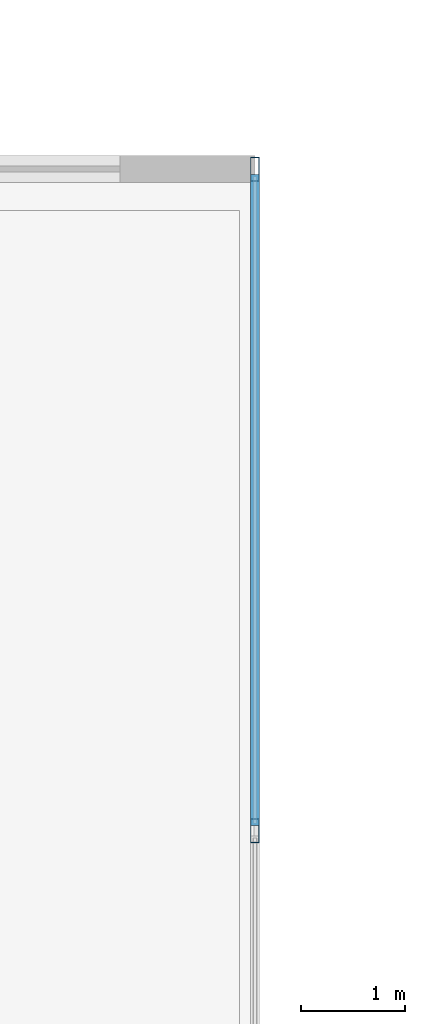
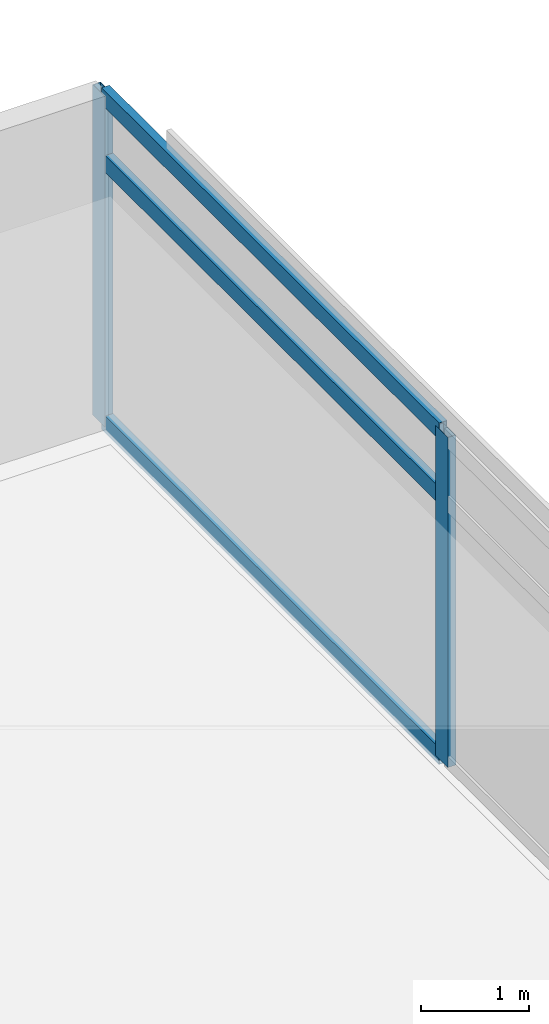
# One storey, part 11 of 21: 5 members, 1 element without a shape of its own.
"""IFC4 building model written with IfcOpenShell, lengths in metres."""

from ifc_helpers import new_model, si_unit, direction, frame, origin, origin_2d, place, context, subcontext, project, spatial, hollow_rectangle, extrude, material, material_profile, profile_set, type_object, element, aggregate, save


model = new_model("IFC4")

# Units and contexts
model_context = context("Model", 3, precision=1e-05, world=origin(), true_north=direction((0.0, 1.0)))
body_context = subcontext(model_context, "Body", "Model", "MODEL_VIEW")
ifc_project = project(units=[si_unit("LENGTHUNIT", "METRE"), si_unit("AREAUNIT", "SQUARE_METRE"), si_unit("VOLUMEUNIT", "CUBIC_METRE"), si_unit("PLANEANGLEUNIT", "RADIAN"), si_unit("MASSUNIT", "GRAM", prefix="KILO")], contexts=[model_context])

# Site, building, storey
site_placement = place(None, origin())
site = spatial("IfcSite", under=ifc_project, at=site_placement, CompositionType="ELEMENT")
building_placement = place(site_placement, origin())
building = spatial("IfcBuilding", under=site, at=building_placement, Name="Kovane Verandah Tower", CompositionType="ELEMENT")
storey_placement = place(building_placement, frame((0.0, 0.0, 247.199951171875)))
storey = spatial("IfcBuildingStorey", under=building, at=storey_placement, Name="L57", CompositionType="ELEMENT", Elevation=247.199951171875)

# Curtain wall, members
ifc_material_1 = material(Name="Champagne Anodised Aluminium Frame with Low-E Clear Laminated Glass", Category="aluminium")
curtain_wall_type = type_object("IfcCurtainWallType", Name="CW-SYS-05-HIGH", PredefinedType="NOTDEFINED", material=ifc_material_1)
curtain_wall_placement = place(storey_placement, origin())
curtain_wall = element("IfcCurtainWall", 1, at=curtain_wall_placement, inside=storey, type_object=curtain_wall_type, Name="L57 E Unitised Curtain Wall", PredefinedType="NOTDEFINED")
ifc_material_2 = material(Name="Champagne Anodised Aluminium 6063-T6", Category="aluminium")
ifc_material_profile_1 = material_profile(ifc_material_2, hollow_rectangle(XDim=0.0849609375, YDim=0.22998046875, WallThickness=0.00390625, at=origin_2d()), Name="AL85x230x4")
ifc_profile_set_1 = profile_set([ifc_material_profile_1], Name="Champagne Anodised Aluminium 6063-T6")
member_type_1 = type_object("IfcMemberType", Name="CW-MUL-85x230", PredefinedType="MULLION", material=ifc_profile_set_1)
member_1_placement = place(storey_placement, frame((66.366455078125, 40.24560546875, 0.02001953125), z_axis=(0.0, 0.0, 1.0), x_axis=(1.0, 0.0, 0.0)))
member_1 = element("IfcMember", 2, at=member_1_placement, type_object=member_type_1, Name="L57 E Unitised Curtain Wall Mullion 6", PredefinedType="MULLION", context=body_context, shape_type="SweptSolid", body=[
    extrude(hollow_rectangle(XDim=0.0849609375, YDim=0.22998046875, WallThickness=0.00390625, at=origin_2d()), origin(), (0.0, 0.0, 1.0), 3.7451171875),
])
member_2_placement = place(storey_placement, frame((66.366455078125, 46.6181640625, 0.02001953125), z_axis=(0.0, 0.0, 1.0), x_axis=(1.0, 0.0, 0.0)))
member_2 = element("IfcMember", 3, at=member_2_placement, type_object=member_type_1, Name="L57 E Unitised Curtain Wall Mullion 7", PredefinedType="MULLION", context=body_context, shape_type="SweptSolid", body=[
    extrude(hollow_rectangle(XDim=0.0849609375, YDim=0.22998046875, WallThickness=0.00390625, at=origin_2d()), origin(), (0.0, 0.0, 1.0), 3.7451171875),
])
ifc_material_profile_2 = material_profile(ifc_material_2, hollow_rectangle(XDim=0.0849609375, YDim=0.18994140625, WallThickness=0.00390625, at=origin_2d()), Name="AL85x190x4")
ifc_profile_set_2 = profile_set([ifc_material_profile_2], Name="Champagne Anodised Aluminium 6063-T6")
member_type_2 = type_object("IfcMemberType", Name="CW-TRN-85x190", PredefinedType="USERDEFINED", material=ifc_profile_set_2)
member_3_placement = place(storey_placement, frame((66.366455078125, 40.29541015625, 0.050048828125), z_axis=(0.0, 1.0, 0.0), x_axis=(-1.0, 0.0, 0.0)))
member_3 = element("IfcMember", 4, at=member_3_placement, type_object=member_type_2, Name="L57 E Unitised Curtain Wall Transom TB Bay 6", ObjectType="TRANSOM", PredefinedType="USERDEFINED", context=body_context, shape_type="SweptSolid", body=[
    extrude(hollow_rectangle(XDim=0.0849609375, YDim=0.18994140625, WallThickness=0.00390625, at=origin_2d()), origin(), (0.0, 0.0, 1.0), 6.272705078125),
])
member_4_placement = place(storey_placement, frame((66.366455078125, 40.29541015625, 3.005126953125), z_axis=(0.0, 1.0, 0.0), x_axis=(-1.0, 0.0, 0.0)))
member_4 = element("IfcMember", 5, at=member_4_placement, type_object=member_type_2, Name="L57 E Unitised Curtain Wall Transom TM Bay 6", ObjectType="TRANSOM", PredefinedType="USERDEFINED", context=body_context, shape_type="SweptSolid", body=[
    extrude(hollow_rectangle(XDim=0.0849609375, YDim=0.18994140625, WallThickness=0.00390625, at=origin_2d()), origin(), (0.0, 0.0, 1.0), 6.272705078125),
])
member_5_placement = place(storey_placement, frame((66.366455078125, 40.29541015625, 3.735107421875), z_axis=(0.0, 1.0, 0.0), x_axis=(-1.0, 0.0, 0.0)))
member_5 = element("IfcMember", 6, at=member_5_placement, type_object=member_type_2, Name="L57 E Unitised Curtain Wall Transom TT Bay 6", ObjectType="TRANSOM", PredefinedType="USERDEFINED", context=body_context, shape_type="SweptSolid", body=[
    extrude(hollow_rectangle(XDim=0.0849609375, YDim=0.18994140625, WallThickness=0.00390625, at=origin_2d()), origin(), (0.0, 0.0, 1.0), 6.272705078125),
])
aggregate(curtain_wall, [member_1, member_2, member_3, member_4, member_5])

save(model, "model.ifc")
